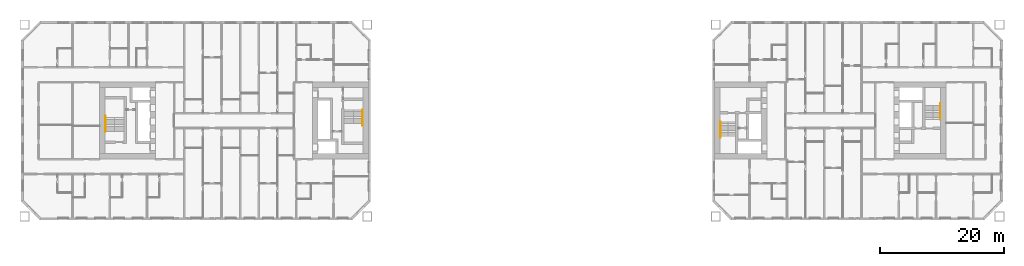
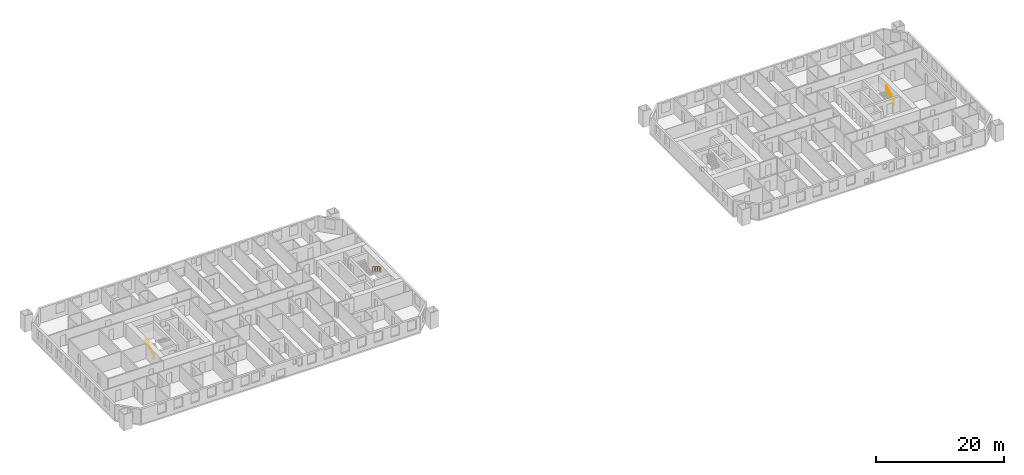
# One storey, part 16 of 16: 4 railings.
"""IFC4 building model written with IfcOpenShell, lengths in metres."""

from ifc_helpers import new_model, si_unit, direction, frame, origin, origin_2d, place, context, subcontext, project, spatial, circle, extrude, material, type_object, element, save


model = new_model("IFC4")

# Units and contexts
model_context = context("Model", 3, precision=1e-05, world=origin(), true_north=direction((0.0, 1.0)))
body_context = subcontext(model_context, "Body", "Model", "MODEL_VIEW")
ifc_project = project(units=[si_unit("LENGTHUNIT", "METRE"), si_unit("AREAUNIT", "SQUARE_METRE"), si_unit("VOLUMEUNIT", "CUBIC_METRE"), si_unit("PLANEANGLEUNIT", "RADIAN"), si_unit("MASSUNIT", "GRAM", prefix="KILO")], contexts=[model_context])

# Site, building, storey
site_placement = place(None, origin())
site = spatial("IfcSite", under=ifc_project, at=site_placement, CompositionType="ELEMENT")
building_placement = place(site_placement, origin())
building = spatial("IfcBuilding", under=site, at=building_placement, Name="Tuart Gate Housing", CompositionType="ELEMENT")
storey_placement = place(building_placement, frame((0.0, 0.0, 35.0)))
storey = spatial("IfcBuildingStorey", under=building, at=storey_placement, Name="L09", CompositionType="ELEMENT", Elevation=35.0)

# Railings
ifc_material = material(Name="Stainless steel", Category="steel")
railing_type = type_object("IfcRailingType", Name="Stair handrail 900", PredefinedType="HANDRAIL", material=ifc_material)
railing_1_placement = place(storey_placement, frame((74.679931640625, 71.75, 0.172119140625)))
element("IfcRailing", 1, at=railing_1_placement, inside=storey, type_object=railing_type, Name="Stair handrail SA1.1", PredefinedType="HANDRAIL", context=body_context, shape_type="SweptSolid", body=[
    extrude(circle(Radius=0.02392578125, at=origin_2d()), frame((0.0, 0.0, 0.8759765625), z_axis=(0.0, -0.851747552033, 0.523952390591), x_axis=(1.0, 0.0, 0.0)), (0.0, 0.0, 1.0), 2.6298828125),
    extrude(circle(Radius=0.02392578125, at=origin_2d()), frame((0.0, -2.239990234375, 2.25390625), z_axis=(0.0, -1.0, 0.0), x_axis=(1.0, 0.0, 0.0)), (0.0, 0.0, 1.0), 0.300048828125),
    extrude(circle(Radius=0.02099609375, at=origin_2d()), origin(), (0.0, 0.0, 1.0), 0.851806640625),
    extrude(circle(Radius=0.02099609375, at=origin_2d()), frame((0.0, -0.74658203125, 0.459228515625)), (0.0, 0.0, 1.0), 0.851806640625),
    extrude(circle(Radius=0.02099609375, at=origin_2d()), frame((0.0, -1.493408203125, 0.918701171875)), (0.0, 0.0, 1.0), 0.851806640625),
    extrude(circle(Radius=0.02099609375, at=origin_2d()), frame((0.0, -2.239990234375, 1.3779296875)), (0.0, 0.0, 1.0), 0.851806640625),
    extrude(circle(Radius=0.02099609375, at=origin_2d()), frame((0.0, -2.5400390625, 1.3779296875)), (0.0, 0.0, 1.0), 0.851806640625),
])
railing_2_placement = place(storey_placement, frame((33.320068359375, 68.25, 0.172119140625)))
element("IfcRailing", 2, at=railing_2_placement, inside=storey, type_object=railing_type, Name="Stair handrail SA2.1", PredefinedType="HANDRAIL", context=body_context, shape_type="SweptSolid", body=[
    extrude(circle(Radius=0.02392578125, at=origin_2d()), frame((0.0, 0.0, 0.8759765625), z_axis=(0.0, 0.851747552033, 0.523952390591), x_axis=(-1.0, 0.0, 0.0)), (0.0, 0.0, 1.0), 2.6298828125),
    extrude(circle(Radius=0.02392578125, at=origin_2d()), frame((0.0, 2.239990234375, 2.25390625), z_axis=(0.0, 1.0, 0.0), x_axis=(-1.0, 0.0, 0.0)), (0.0, 0.0, 1.0), 0.300048828125),
    extrude(circle(Radius=0.02099609375, at=origin_2d()), origin(), (0.0, 0.0, 1.0), 0.851806640625),
    extrude(circle(Radius=0.02099609375, at=origin_2d()), frame((0.0, 0.74658203125, 0.459228515625)), (0.0, 0.0, 1.0), 0.851806640625),
    extrude(circle(Radius=0.02099609375, at=origin_2d()), frame((0.0, 1.493408203125, 0.918701171875)), (0.0, 0.0, 1.0), 0.851806640625),
    extrude(circle(Radius=0.02099609375, at=origin_2d()), frame((0.0, 2.239990234375, 1.3779296875)), (0.0, 0.0, 1.0), 0.851806640625),
    extrude(circle(Radius=0.02099609375, at=origin_2d()), frame((0.0, 2.5400390625, 1.3779296875)), (0.0, 0.0, 1.0), 0.851806640625),
])
railing_3_placement = place(storey_placement, frame((132.320068359375, 69.800048828125, 0.172119140625)))
element("IfcRailing", 3, at=railing_3_placement, inside=storey, type_object=railing_type, Name="Stair handrail SB1.1", PredefinedType="HANDRAIL", context=body_context, shape_type="SweptSolid", body=[
    extrude(circle(Radius=0.02392578125, at=origin_2d()), frame((0.0, 0.0, 0.8759765625), z_axis=(0.0, -0.851747552033, 0.523952390591), x_axis=(1.0, 0.0, 0.0)), (0.0, 0.0, 1.0), 2.6298828125),
    extrude(circle(Radius=0.02392578125, at=origin_2d()), frame((0.0, -2.239990234375, 2.25390625), z_axis=(0.0, -1.0, 0.0), x_axis=(1.0, 0.0, 0.0)), (0.0, 0.0, 1.0), 0.300048828125),
    extrude(circle(Radius=0.02099609375, at=origin_2d()), origin(), (0.0, 0.0, 1.0), 0.851806640625),
    extrude(circle(Radius=0.02099609375, at=origin_2d()), frame((0.0, -0.74658203125, 0.459228515625)), (0.0, 0.0, 1.0), 0.851806640625),
    extrude(circle(Radius=0.02099609375, at=origin_2d()), frame((0.0, -1.493408203125, 0.918701171875)), (0.0, 0.0, 1.0), 0.851806640625),
    extrude(circle(Radius=0.02099609375, at=origin_2d()), frame((0.0, -2.239990234375, 1.3779296875)), (0.0, 0.0, 1.0), 0.851806640625),
    extrude(circle(Radius=0.02099609375, at=origin_2d()), frame((0.0, -2.5400390625, 1.3779296875)), (0.0, 0.0, 1.0), 0.851806640625),
])
railing_4_placement = place(storey_placement, frame((167.679931640625, 70.199951171875, 0.172119140625)))
element("IfcRailing", 4, at=railing_4_placement, inside=storey, type_object=railing_type, Name="Stair handrail SB2.1", PredefinedType="HANDRAIL", context=body_context, shape_type="SweptSolid", body=[
    extrude(circle(Radius=0.02392578125, at=origin_2d()), frame((0.0, 0.0, 0.8759765625), z_axis=(0.0, 0.851747552033, 0.523952390591), x_axis=(-1.0, 0.0, 0.0)), (0.0, 0.0, 1.0), 2.6298828125),
    extrude(circle(Radius=0.02392578125, at=origin_2d()), frame((0.0, 2.239990234375, 2.25390625), z_axis=(0.0, 1.0, 0.0), x_axis=(-1.0, 0.0, 0.0)), (0.0, 0.0, 1.0), 0.300048828125),
    extrude(circle(Radius=0.02099609375, at=origin_2d()), origin(), (0.0, 0.0, 1.0), 0.851806640625),
    extrude(circle(Radius=0.02099609375, at=origin_2d()), frame((0.0, 0.74658203125, 0.459228515625)), (0.0, 0.0, 1.0), 0.851806640625),
    extrude(circle(Radius=0.02099609375, at=origin_2d()), frame((0.0, 1.493408203125, 0.918701171875)), (0.0, 0.0, 1.0), 0.851806640625),
    extrude(circle(Radius=0.02099609375, at=origin_2d()), frame((0.0, 2.239990234375, 1.3779296875)), (0.0, 0.0, 1.0), 0.851806640625),
    extrude(circle(Radius=0.02099609375, at=origin_2d()), frame((0.0, 2.5400390625, 1.3779296875)), (0.0, 0.0, 1.0), 0.851806640625),
])

save(model, "model.ifc")
